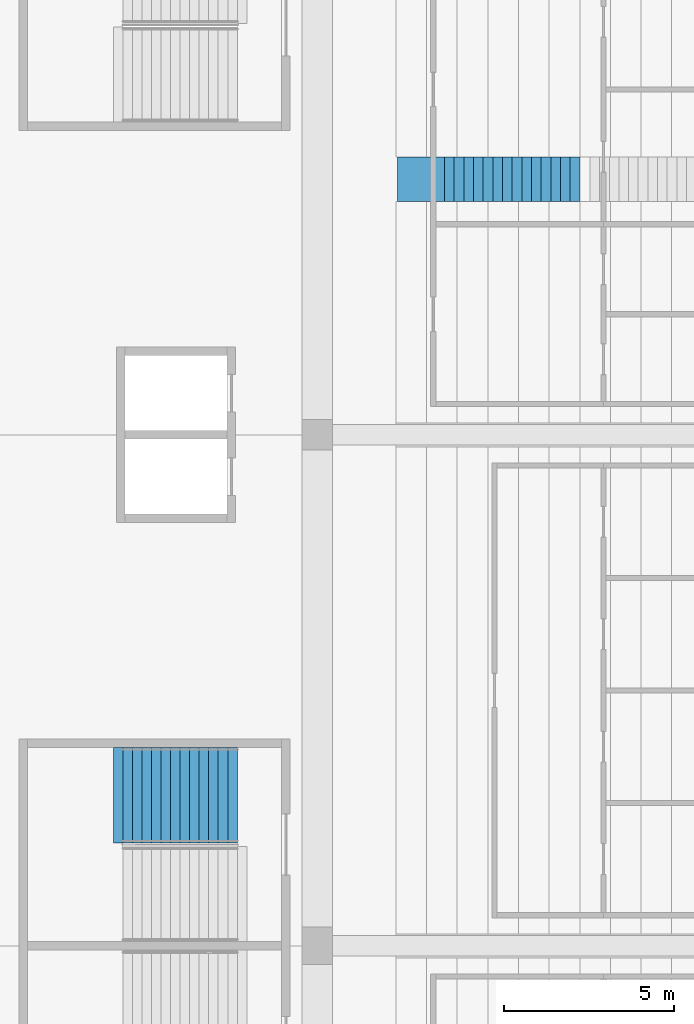
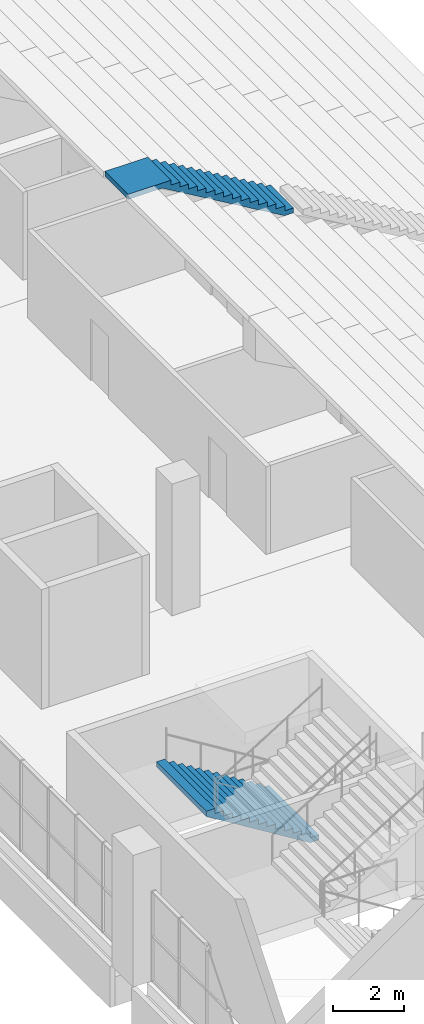
# One storey, part 164 of 249: 2 stair flights, 2 elements without a shape of their own.
"""IFC4 building model written with IfcOpenShell, lengths in metres."""

from ifc_helpers import new_model, si_unit, direction, frame, origin, place, context, subcontext, project, spatial, faceted_brep, material, type_object, element, aggregate, save


model = new_model("IFC4")

# Units and contexts
model_context = context("Model", 3, precision=1e-05, world=origin(), true_north=direction((0.0, 1.0)))
body_context = subcontext(model_context, "Body", "Model", "MODEL_VIEW")
ifc_project = project(units=[si_unit("LENGTHUNIT", "METRE"), si_unit("AREAUNIT", "SQUARE_METRE"), si_unit("VOLUMEUNIT", "CUBIC_METRE"), si_unit("PLANEANGLEUNIT", "RADIAN"), si_unit("MASSUNIT", "GRAM", prefix="KILO")], contexts=[model_context])

# Site, building, storey
site_placement = place(None, origin())
site = spatial("IfcSite", under=ifc_project, at=site_placement, CompositionType="ELEMENT")
building_placement = place(site_placement, origin())
building = spatial("IfcBuilding", under=site, at=building_placement, Name="Ogive Plaza Stadium", CompositionType="ELEMENT")
storey_placement = place(building_placement, frame((0.0, 0.0, 13.5)))
storey = spatial("IfcBuildingStorey", under=building, at=storey_placement, Name="L03", CompositionType="ELEMENT", Elevation=13.5)

# Stair, stair flight
ifc_material_1 = material(Name="Concrete C40/50", Category="concrete")
stair_type_1 = type_object("IfcStairType", Name="Aisle stair", PredefinedType="STRAIGHT_RUN_STAIR", material=ifc_material_1)
stair_1_placement = place(storey_placement, origin())
stair_1 = element("IfcStair", 1, at=stair_1_placement, inside=storey, type_object=stair_type_1, Name="Aisle stair SA25U", PredefinedType="STRAIGHT_RUN_STAIR")
ifc_material_2 = material(Name="Concrete C40/50", Category="concrete")
stair_flight_type_1 = type_object("IfcStairFlightType", Name="Aisle stair flight", PredefinedType="STRAIGHT", material=ifc_material_2)
stair_flight_1_placement = place(storey_placement, frame((-66.300048828125, 15.0, 6.5), z_axis=(0.0, 0.0, 1.0), x_axis=(-1.0, 0.0, 0.0)))
stair_flight_1 = element("IfcStairFlight", 2, at=stair_flight_1_placement, type_object=stair_flight_type_1, Name="SA25U flight 3", NumberOfRisers=15, NumberOfTreads=14, PredefinedType="STRAIGHT", RiserHeight=0.166666667, TreadLength=0.283333333, context=body_context, shape_type="Brep", body=[
    faceted_brep([(0.295654296875, -0.64990234375, 0.0), (4.25, -0.64990234375, 2.326171875), (5.35009765625, -0.64990234375, 2.326171875), (5.35009765625, -0.64990234375, 2.5), (3.966552734375, -0.64990234375, 2.5), (3.966552734375, -0.64990234375, 2.333251953125), (3.683349609375, -0.64990234375, 2.333251953125), (3.683349609375, -0.64990234375, 2.166748046875), (3.39990234375, -0.64990234375, 2.166748046875), (3.39990234375, -0.64990234375, 2.0), (3.11669921875, -0.64990234375, 2.0), (3.11669921875, -0.64990234375, 1.833251953125), (2.833251953125, -0.64990234375, 1.833251953125), (2.833251953125, -0.64990234375, 1.666748046875), (2.550048828125, -0.64990234375, 1.666748046875), (2.550048828125, -0.64990234375, 1.5), (2.2666015625, -0.64990234375, 1.5), (2.2666015625, -0.64990234375, 1.333251953125), (1.9833984375, -0.64990234375, 1.333251953125), (1.9833984375, -0.64990234375, 1.166748046875), (1.699951171875, -0.64990234375, 1.166748046875), (1.699951171875, -0.64990234375, 1.0), (1.416748046875, -0.64990234375, 1.0), (1.416748046875, -0.64990234375, 0.833251953125), (1.13330078125, -0.64990234375, 0.833251953125), (1.13330078125, -0.64990234375, 0.666748046875), (0.85009765625, -0.64990234375, 0.666748046875), (0.85009765625, -0.64990234375, 0.5), (0.566650390625, -0.64990234375, 0.5), (0.566650390625, -0.64990234375, 0.333251953125), (0.283447265625, -0.64990234375, 0.333251953125), (0.283447265625, -0.64990234375, 0.166748046875), (0.0, -0.64990234375, 0.166748046875), (0.0, -0.64990234375, 0.0), (0.0, 0.64990234375, 0.0), (0.0, 0.64990234375, 0.166748046875), (0.283447265625, 0.64990234375, 0.166748046875), (0.283447265625, 0.64990234375, 0.333251953125), (0.566650390625, 0.64990234375, 0.333251953125), (0.566650390625, 0.64990234375, 0.5), (0.85009765625, 0.64990234375, 0.5), (0.85009765625, 0.64990234375, 0.666748046875), (1.13330078125, 0.64990234375, 0.666748046875), (1.13330078125, 0.64990234375, 0.833251953125), (1.416748046875, 0.64990234375, 0.833251953125), (1.416748046875, 0.64990234375, 1.0), (1.699951171875, 0.64990234375, 1.0), (1.699951171875, 0.64990234375, 1.166748046875), (1.9833984375, 0.64990234375, 1.166748046875), (1.9833984375, 0.64990234375, 1.333251953125), (2.2666015625, 0.64990234375, 1.333251953125), (2.2666015625, 0.64990234375, 1.5), (2.550048828125, 0.64990234375, 1.5), (2.550048828125, 0.64990234375, 1.666748046875), (2.833251953125, 0.64990234375, 1.666748046875), (2.833251953125, 0.64990234375, 1.833251953125), (3.11669921875, 0.64990234375, 1.833251953125), (3.11669921875, 0.64990234375, 2.0), (3.39990234375, 0.64990234375, 2.0), (3.39990234375, 0.64990234375, 2.166748046875), (3.683349609375, 0.64990234375, 2.166748046875), (3.683349609375, 0.64990234375, 2.333251953125), (3.966552734375, 0.64990234375, 2.333251953125), (3.966552734375, 0.64990234375, 2.5), (5.35009765625, 0.64990234375, 2.5), (5.35009765625, 0.64990234375, 2.326171875), (4.25, 0.64990234375, 2.326171875), (0.295654296875, 0.64990234375, 0.0), (0.295654296875, -0.324951171875, 0.0), (4.25, -0.324951171875, 2.326171875), (0.295654296875, 0.0, 0.0), (4.25, 0.0, 2.326171875), (0.295654296875, 0.324951171875, 0.0), (4.25, 0.324951171875, 2.326171875), (5.35009765625, -0.324951171875, 2.326171875), (5.35009765625, 0.0, 2.326171875), (5.35009765625, 0.324951171875, 2.326171875), (5.35009765625, -0.324951171875, 2.5), (5.35009765625, 0.0, 2.5), (5.35009765625, 0.324951171875, 2.5), (3.966552734375, -0.324951171875, 2.5), (3.966552734375, 0.0, 2.5), (3.966552734375, 0.324951171875, 2.5), (3.966552734375, -0.324951171875, 2.333251953125), (3.966552734375, 0.0, 2.333251953125), (3.966552734375, 0.324951171875, 2.333251953125), (3.683349609375, -0.324951171875, 2.333251953125), (3.683349609375, 0.0, 2.333251953125), (3.683349609375, 0.324951171875, 2.333251953125), (3.683349609375, -0.324951171875, 2.166748046875), (3.683349609375, 0.0, 2.166748046875), (3.683349609375, 0.324951171875, 2.166748046875), (3.39990234375, -0.324951171875, 2.166748046875), (3.39990234375, 0.0, 2.166748046875), (3.39990234375, 0.324951171875, 2.166748046875), (3.39990234375, -0.324951171875, 2.0), (3.39990234375, 0.0, 2.0), (3.39990234375, 0.324951171875, 2.0), (3.11669921875, -0.324951171875, 2.0), (3.11669921875, 0.0, 2.0), (3.11669921875, 0.324951171875, 2.0), (3.11669921875, -0.324951171875, 1.833251953125), (3.11669921875, 0.0, 1.833251953125), (3.11669921875, 0.324951171875, 1.833251953125), (2.833251953125, -0.324951171875, 1.833251953125), (2.833251953125, 0.0, 1.833251953125), (2.833251953125, 0.324951171875, 1.833251953125), (2.833251953125, -0.324951171875, 1.666748046875), (2.833251953125, 0.0, 1.666748046875), (2.833251953125, 0.324951171875, 1.666748046875), (2.550048828125, -0.324951171875, 1.666748046875), (2.550048828125, 0.0, 1.666748046875), (2.550048828125, 0.324951171875, 1.666748046875), (2.550048828125, -0.324951171875, 1.5), (2.550048828125, 0.0, 1.5), (2.550048828125, 0.324951171875, 1.5), (2.2666015625, -0.324951171875, 1.5), (2.2666015625, 0.0, 1.5), (2.2666015625, 0.324951171875, 1.5), (2.2666015625, -0.324951171875, 1.333251953125), (2.2666015625, 0.0, 1.333251953125), (2.2666015625, 0.324951171875, 1.333251953125), (1.9833984375, -0.324951171875, 1.333251953125), (1.9833984375, 0.0, 1.333251953125), (1.9833984375, 0.324951171875, 1.333251953125), (1.9833984375, -0.324951171875, 1.166748046875), (1.9833984375, 0.0, 1.166748046875), (1.9833984375, 0.324951171875, 1.166748046875), (1.699951171875, -0.324951171875, 1.166748046875), (1.699951171875, 0.0, 1.166748046875), (1.699951171875, 0.324951171875, 1.166748046875), (1.699951171875, -0.324951171875, 1.0), (1.699951171875, 0.0, 1.0), (1.699951171875, 0.324951171875, 1.0), (1.416748046875, -0.324951171875, 1.0), (1.416748046875, 0.0, 1.0), (1.416748046875, 0.324951171875, 1.0), (1.416748046875, -0.324951171875, 0.833251953125), (1.416748046875, 0.0, 0.833251953125), (1.416748046875, 0.324951171875, 0.833251953125), (1.13330078125, -0.324951171875, 0.833251953125), (1.13330078125, 0.0, 0.833251953125), (1.13330078125, 0.324951171875, 0.833251953125), (1.13330078125, -0.324951171875, 0.666748046875), (1.13330078125, 0.0, 0.666748046875), (1.13330078125, 0.324951171875, 0.666748046875), (0.85009765625, -0.324951171875, 0.666748046875), (0.85009765625, 0.0, 0.666748046875), (0.85009765625, 0.324951171875, 0.666748046875), (0.85009765625, -0.324951171875, 0.5), (0.85009765625, 0.0, 0.5), (0.85009765625, 0.324951171875, 0.5), (0.566650390625, -0.324951171875, 0.5), (0.566650390625, 0.0, 0.5), (0.566650390625, 0.324951171875, 0.5), (0.566650390625, -0.324951171875, 0.333251953125), (0.566650390625, 0.0, 0.333251953125), (0.566650390625, 0.324951171875, 0.333251953125), (0.283447265625, -0.324951171875, 0.333251953125), (0.283447265625, 0.0, 0.333251953125), (0.283447265625, 0.324951171875, 0.333251953125), (0.283447265625, -0.324951171875, 0.166748046875), (0.283447265625, 0.0, 0.166748046875), (0.283447265625, 0.324951171875, 0.166748046875), (0.0, -0.324951171875, 0.166748046875), (0.0, 0.0, 0.166748046875), (0.0, 0.324951171875, 0.166748046875), (0.0, -0.324951171875, 0.0), (0.0, 0.0, 0.0), (0.0, 0.324951171875, 0.0)], [[[0, 1, 2, 3, 4, 5, 6, 7, 8, 9, 10, 11, 12, 13, 14, 15, 16, 17, 18, 19, 20, 21, 22, 23, 24, 25, 26, 27, 28, 29, 30, 31, 32, 33]], [[34, 35, 36, 37, 38, 39, 40, 41, 42, 43, 44, 45, 46, 47, 48, 49, 50, 51, 52, 53, 54, 55, 56, 57, 58, 59, 60, 61, 62, 63, 64, 65, 66, 67]], [[0, 68, 69, 1]], [[68, 70, 71, 69]], [[70, 72, 73, 71]], [[72, 67, 66, 73]], [[1, 69, 74, 2]], [[69, 71, 75, 74]], [[71, 73, 76, 75]], [[73, 66, 65, 76]], [[2, 74, 77, 3]], [[74, 75, 78, 77]], [[75, 76, 79, 78]], [[76, 65, 64, 79]], [[3, 77, 80, 4]], [[77, 78, 81, 80]], [[78, 79, 82, 81]], [[79, 64, 63, 82]], [[4, 80, 83, 5]], [[80, 81, 84, 83]], [[81, 82, 85, 84]], [[82, 63, 62, 85]], [[5, 83, 86, 6]], [[83, 84, 87, 86]], [[84, 85, 88, 87]], [[85, 62, 61, 88]], [[6, 86, 89, 7]], [[86, 87, 90, 89]], [[87, 88, 91, 90]], [[88, 61, 60, 91]], [[7, 89, 92, 8]], [[89, 90, 93, 92]], [[90, 91, 94, 93]], [[91, 60, 59, 94]], [[8, 92, 95, 9]], [[92, 93, 96, 95]], [[93, 94, 97, 96]], [[94, 59, 58, 97]], [[9, 95, 98, 10]], [[95, 96, 99, 98]], [[96, 97, 100, 99]], [[97, 58, 57, 100]], [[10, 98, 101, 11]], [[98, 99, 102, 101]], [[99, 100, 103, 102]], [[100, 57, 56, 103]], [[11, 101, 104, 12]], [[101, 102, 105, 104]], [[102, 103, 106, 105]], [[103, 56, 55, 106]], [[12, 104, 107, 13]], [[104, 105, 108, 107]], [[105, 106, 109, 108]], [[106, 55, 54, 109]], [[13, 107, 110, 14]], [[107, 108, 111, 110]], [[108, 109, 112, 111]], [[109, 54, 53, 112]], [[14, 110, 113, 15]], [[110, 111, 114, 113]], [[111, 112, 115, 114]], [[112, 53, 52, 115]], [[15, 113, 116, 16]], [[113, 114, 117, 116]], [[114, 115, 118, 117]], [[115, 52, 51, 118]], [[16, 116, 119, 17]], [[116, 117, 120, 119]], [[117, 118, 121, 120]], [[118, 51, 50, 121]], [[17, 119, 122, 18]], [[119, 120, 123, 122]], [[120, 121, 124, 123]], [[121, 50, 49, 124]], [[18, 122, 125, 19]], [[122, 123, 126, 125]], [[123, 124, 127, 126]], [[124, 49, 48, 127]], [[19, 125, 128, 20]], [[125, 126, 129, 128]], [[126, 127, 130, 129]], [[127, 48, 47, 130]], [[20, 128, 131, 21]], [[128, 129, 132, 131]], [[129, 130, 133, 132]], [[130, 47, 46, 133]], [[21, 131, 134, 22]], [[131, 132, 135, 134]], [[132, 133, 136, 135]], [[133, 46, 45, 136]], [[22, 134, 137, 23]], [[134, 135, 138, 137]], [[135, 136, 139, 138]], [[136, 45, 44, 139]], [[23, 137, 140, 24]], [[137, 138, 141, 140]], [[138, 139, 142, 141]], [[139, 44, 43, 142]], [[24, 140, 143, 25]], [[140, 141, 144, 143]], [[141, 142, 145, 144]], [[142, 43, 42, 145]], [[25, 143, 146, 26]], [[143, 144, 147, 146]], [[144, 145, 148, 147]], [[145, 42, 41, 148]], [[26, 146, 149, 27]], [[146, 147, 150, 149]], [[147, 148, 151, 150]], [[148, 41, 40, 151]], [[27, 149, 152, 28]], [[149, 150, 153, 152]], [[150, 151, 154, 153]], [[151, 40, 39, 154]], [[28, 152, 155, 29]], [[152, 153, 156, 155]], [[153, 154, 157, 156]], [[154, 39, 38, 157]], [[29, 155, 158, 30]], [[155, 156, 159, 158]], [[156, 157, 160, 159]], [[157, 38, 37, 160]], [[30, 158, 161, 31]], [[158, 159, 162, 161]], [[159, 160, 163, 162]], [[160, 37, 36, 163]], [[31, 161, 164, 32]], [[161, 162, 165, 164]], [[162, 163, 166, 165]], [[163, 36, 35, 166]], [[32, 164, 167, 33]], [[164, 165, 168, 167]], [[165, 166, 169, 168]], [[166, 35, 34, 169]], [[33, 167, 68, 0]], [[167, 168, 70, 68]], [[168, 169, 72, 70]], [[169, 34, 67, 72]]]),
])
aggregate(stair_1, [stair_flight_1])

ifc_material_3 = material(Name="Concrete C40/50", Category="concrete")
stair_type_2 = type_object("IfcStairType", Name="Exit stair", PredefinedType="STRAIGHT_RUN_STAIR", material=ifc_material_3)
stair_2_placement = place(storey_placement, origin())
stair_2 = element("IfcStair", 3, at=stair_2_placement, inside=storey, type_object=stair_type_2, Name="Exit stair ST24A L03 to L04", PredefinedType="STRAIGHT_RUN_STAIR")
ifc_material_4 = material(Name="Concrete C40/50", Category="concrete")
stair_flight_type_2 = type_object("IfcStairFlightType", Name="Exit stair flight", PredefinedType="STRAIGHT", material=ifc_material_4)
stair_flight_2_placement = place(storey_placement, frame((-76.35009765625, -3.074951171875, 0.0), z_axis=(0.0, 0.0, 1.0), x_axis=(-1.0, 0.0, 0.0)))
stair_flight_2 = element("IfcStairFlight", 4, at=stair_flight_2_placement, type_object=stair_flight_type_2, Name="ST24A flight 1", NumberOfRisers=13, NumberOfTreads=12, PredefinedType="STRAIGHT", RiserHeight=0.173076923, TreadLength=0.28, context=body_context, shape_type="Brep", body=[
    faceted_brep([(0.28515625, -1.39990234375, 0.0), (3.639892578125, -1.39990234375, 2.07373046875), (3.639892578125, -1.39990234375, 2.25), (3.360107421875, -1.39990234375, 2.25), (3.360107421875, -1.39990234375, 2.076904296875), (3.080078125, -1.39990234375, 2.076904296875), (3.080078125, -1.39990234375, 1.90380859375), (2.800048828125, -1.39990234375, 1.90380859375), (2.800048828125, -1.39990234375, 1.730712890625), (2.52001953125, -1.39990234375, 1.730712890625), (2.52001953125, -1.39990234375, 1.5576171875), (2.239990234375, -1.39990234375, 1.5576171875), (2.239990234375, -1.39990234375, 1.384521484375), (1.9599609375, -1.39990234375, 1.384521484375), (1.9599609375, -1.39990234375, 1.21142578125), (1.679931640625, -1.39990234375, 1.21142578125), (1.679931640625, -1.39990234375, 1.03857421875), (1.39990234375, -1.39990234375, 1.03857421875), (1.39990234375, -1.39990234375, 0.865478515625), (1.1201171875, -1.39990234375, 0.865478515625), (1.1201171875, -1.39990234375, 0.6923828125), (0.840087890625, -1.39990234375, 0.6923828125), (0.840087890625, -1.39990234375, 0.519287109375), (0.56005859375, -1.39990234375, 0.519287109375), (0.56005859375, -1.39990234375, 0.34619140625), (0.280029296875, -1.39990234375, 0.34619140625), (0.280029296875, -1.39990234375, 0.173095703125), (0.0, -1.39990234375, 0.173095703125), (0.0, -1.39990234375, 0.0), (0.0, 1.39990234375, 0.0), (0.0, 1.39990234375, 0.173095703125), (0.280029296875, 1.39990234375, 0.173095703125), (0.280029296875, 1.39990234375, 0.34619140625), (0.56005859375, 1.39990234375, 0.34619140625), (0.56005859375, 1.39990234375, 0.519287109375), (0.840087890625, 1.39990234375, 0.519287109375), (0.840087890625, 1.39990234375, 0.6923828125), (1.1201171875, 1.39990234375, 0.6923828125), (1.1201171875, 1.39990234375, 0.865478515625), (1.39990234375, 1.39990234375, 0.865478515625), (1.39990234375, 1.39990234375, 1.03857421875), (1.679931640625, 1.39990234375, 1.03857421875), (1.679931640625, 1.39990234375, 1.21142578125), (1.9599609375, 1.39990234375, 1.21142578125), (1.9599609375, 1.39990234375, 1.384521484375), (2.239990234375, 1.39990234375, 1.384521484375), (2.239990234375, 1.39990234375, 1.5576171875), (2.52001953125, 1.39990234375, 1.5576171875), (2.52001953125, 1.39990234375, 1.730712890625), (2.800048828125, 1.39990234375, 1.730712890625), (2.800048828125, 1.39990234375, 1.90380859375), (3.080078125, 1.39990234375, 1.90380859375), (3.080078125, 1.39990234375, 2.076904296875), (3.360107421875, 1.39990234375, 2.076904296875), (3.360107421875, 1.39990234375, 2.25), (3.639892578125, 1.39990234375, 2.25), (3.639892578125, 1.39990234375, 2.07373046875), (0.28515625, 1.39990234375, 0.0), (0.28515625, -1.0888671875, 0.0), (3.639892578125, -1.0888671875, 2.07373046875), (0.28515625, -0.77783203125, 0.0), (3.639892578125, -0.77783203125, 2.07373046875), (0.28515625, -0.466796875, 0.0), (3.639892578125, -0.466796875, 2.07373046875), (0.28515625, -0.155517578125, 0.0), (3.639892578125, -0.155517578125, 2.07373046875), (0.28515625, 0.155517578125, 0.0), (3.639892578125, 0.155517578125, 2.07373046875), (0.28515625, 0.466796875, 0.0), (3.639892578125, 0.466796875, 2.07373046875), (0.28515625, 0.77783203125, 0.0), (3.639892578125, 0.77783203125, 2.07373046875), (0.28515625, 1.0888671875, 0.0), (3.639892578125, 1.0888671875, 2.07373046875), (3.639892578125, -1.0888671875, 2.25), (3.639892578125, -0.77783203125, 2.25), (3.639892578125, -0.466796875, 2.25), (3.639892578125, -0.155517578125, 2.25), (3.639892578125, 0.155517578125, 2.25), (3.639892578125, 0.466796875, 2.25), (3.639892578125, 0.77783203125, 2.25), (3.639892578125, 1.0888671875, 2.25), (3.360107421875, -1.0888671875, 2.25), (3.360107421875, -0.77783203125, 2.25), (3.360107421875, -0.466796875, 2.25), (3.360107421875, -0.155517578125, 2.25), (3.360107421875, 0.155517578125, 2.25), (3.360107421875, 0.466796875, 2.25), (3.360107421875, 0.77783203125, 2.25), (3.360107421875, 1.0888671875, 2.25), (3.360107421875, -1.0888671875, 2.076904296875), (3.360107421875, -0.77783203125, 2.076904296875), (3.360107421875, -0.466796875, 2.076904296875), (3.360107421875, -0.155517578125, 2.076904296875), (3.360107421875, 0.155517578125, 2.076904296875), (3.360107421875, 0.466796875, 2.076904296875), (3.360107421875, 0.77783203125, 2.076904296875), (3.360107421875, 1.0888671875, 2.076904296875), (3.080078125, -1.0888671875, 2.076904296875), (3.080078125, -0.77783203125, 2.076904296875), (3.080078125, -0.466796875, 2.076904296875), (3.080078125, -0.155517578125, 2.076904296875), (3.080078125, 0.155517578125, 2.076904296875), (3.080078125, 0.466796875, 2.076904296875), (3.080078125, 0.77783203125, 2.076904296875), (3.080078125, 1.0888671875, 2.076904296875), (3.080078125, -1.0888671875, 1.90380859375), (3.080078125, -0.77783203125, 1.90380859375), (3.080078125, -0.466796875, 1.90380859375), (3.080078125, -0.155517578125, 1.90380859375), (3.080078125, 0.155517578125, 1.90380859375), (3.080078125, 0.466796875, 1.90380859375), (3.080078125, 0.77783203125, 1.90380859375), (3.080078125, 1.0888671875, 1.90380859375), (2.800048828125, -1.0888671875, 1.90380859375), (2.800048828125, -0.77783203125, 1.90380859375), (2.800048828125, -0.466796875, 1.90380859375), (2.800048828125, -0.155517578125, 1.90380859375), (2.800048828125, 0.155517578125, 1.90380859375), (2.800048828125, 0.466796875, 1.90380859375), (2.800048828125, 0.77783203125, 1.90380859375), (2.800048828125, 1.0888671875, 1.90380859375), (2.800048828125, -1.0888671875, 1.730712890625), (2.800048828125, -0.77783203125, 1.730712890625), (2.800048828125, -0.466796875, 1.730712890625), (2.800048828125, -0.155517578125, 1.730712890625), (2.800048828125, 0.155517578125, 1.730712890625), (2.800048828125, 0.466796875, 1.730712890625), (2.800048828125, 0.77783203125, 1.730712890625), (2.800048828125, 1.0888671875, 1.730712890625), (2.52001953125, -1.0888671875, 1.730712890625), (2.52001953125, -0.77783203125, 1.730712890625), (2.52001953125, -0.466796875, 1.730712890625), (2.52001953125, -0.155517578125, 1.730712890625), (2.52001953125, 0.155517578125, 1.730712890625), (2.52001953125, 0.466796875, 1.730712890625), (2.52001953125, 0.77783203125, 1.730712890625), (2.52001953125, 1.0888671875, 1.730712890625), (2.52001953125, -1.0888671875, 1.5576171875), (2.52001953125, -0.77783203125, 1.5576171875), (2.52001953125, -0.466796875, 1.5576171875), (2.52001953125, -0.155517578125, 1.5576171875), (2.52001953125, 0.155517578125, 1.5576171875), (2.52001953125, 0.466796875, 1.5576171875), (2.52001953125, 0.77783203125, 1.5576171875), (2.52001953125, 1.0888671875, 1.5576171875), (2.239990234375, -1.0888671875, 1.5576171875), (2.239990234375, -0.77783203125, 1.5576171875), (2.239990234375, -0.466796875, 1.5576171875), (2.239990234375, -0.155517578125, 1.5576171875), (2.239990234375, 0.155517578125, 1.5576171875), (2.239990234375, 0.466796875, 1.5576171875), (2.239990234375, 0.77783203125, 1.5576171875), (2.239990234375, 1.0888671875, 1.5576171875), (2.239990234375, -1.0888671875, 1.384521484375), (2.239990234375, -0.77783203125, 1.384521484375), (2.239990234375, -0.466796875, 1.384521484375), (2.239990234375, -0.155517578125, 1.384521484375), (2.239990234375, 0.155517578125, 1.384521484375), (2.239990234375, 0.466796875, 1.384521484375), (2.239990234375, 0.77783203125, 1.384521484375), (2.239990234375, 1.0888671875, 1.384521484375), (1.9599609375, -1.0888671875, 1.384521484375), (1.9599609375, -0.77783203125, 1.384521484375), (1.9599609375, -0.466796875, 1.384521484375), (1.9599609375, -0.155517578125, 1.384521484375), (1.9599609375, 0.155517578125, 1.384521484375), (1.9599609375, 0.466796875, 1.384521484375), (1.9599609375, 0.77783203125, 1.384521484375), (1.9599609375, 1.0888671875, 1.384521484375), (1.9599609375, -1.0888671875, 1.21142578125), (1.9599609375, -0.77783203125, 1.21142578125), (1.9599609375, -0.466796875, 1.21142578125), (1.9599609375, -0.155517578125, 1.21142578125), (1.9599609375, 0.155517578125, 1.21142578125), (1.9599609375, 0.466796875, 1.21142578125), (1.9599609375, 0.77783203125, 1.21142578125), (1.9599609375, 1.0888671875, 1.21142578125), (1.679931640625, -1.0888671875, 1.21142578125), (1.679931640625, -0.77783203125, 1.21142578125), (1.679931640625, -0.466796875, 1.21142578125), (1.679931640625, -0.155517578125, 1.21142578125), (1.679931640625, 0.155517578125, 1.21142578125), (1.679931640625, 0.466796875, 1.21142578125), (1.679931640625, 0.77783203125, 1.21142578125), (1.679931640625, 1.0888671875, 1.21142578125), (1.679931640625, -1.0888671875, 1.03857421875), (1.679931640625, -0.77783203125, 1.03857421875), (1.679931640625, -0.466796875, 1.03857421875), (1.679931640625, -0.155517578125, 1.03857421875), (1.679931640625, 0.155517578125, 1.03857421875), (1.679931640625, 0.466796875, 1.03857421875), (1.679931640625, 0.77783203125, 1.03857421875), (1.679931640625, 1.0888671875, 1.03857421875), (1.39990234375, -1.0888671875, 1.03857421875), (1.39990234375, -0.77783203125, 1.03857421875), (1.39990234375, -0.466796875, 1.03857421875), (1.39990234375, -0.155517578125, 1.03857421875), (1.39990234375, 0.155517578125, 1.03857421875), (1.39990234375, 0.466796875, 1.03857421875), (1.39990234375, 0.77783203125, 1.03857421875), (1.39990234375, 1.0888671875, 1.03857421875), (1.39990234375, -1.0888671875, 0.865478515625), (1.39990234375, -0.77783203125, 0.865478515625), (1.39990234375, -0.466796875, 0.865478515625), (1.39990234375, -0.155517578125, 0.865478515625), (1.39990234375, 0.155517578125, 0.865478515625), (1.39990234375, 0.466796875, 0.865478515625), (1.39990234375, 0.77783203125, 0.865478515625), (1.39990234375, 1.0888671875, 0.865478515625), (1.1201171875, -1.0888671875, 0.865478515625), (1.1201171875, -0.77783203125, 0.865478515625), (1.1201171875, -0.466796875, 0.865478515625), (1.1201171875, -0.155517578125, 0.865478515625), (1.1201171875, 0.155517578125, 0.865478515625), (1.1201171875, 0.466796875, 0.865478515625), (1.1201171875, 0.77783203125, 0.865478515625), (1.1201171875, 1.0888671875, 0.865478515625), (1.1201171875, -1.0888671875, 0.6923828125), (1.1201171875, -0.77783203125, 0.6923828125), (1.1201171875, -0.466796875, 0.6923828125), (1.1201171875, -0.155517578125, 0.6923828125), (1.1201171875, 0.155517578125, 0.6923828125), (1.1201171875, 0.466796875, 0.6923828125), (1.1201171875, 0.77783203125, 0.6923828125), (1.1201171875, 1.0888671875, 0.6923828125), (0.840087890625, -1.0888671875, 0.6923828125), (0.840087890625, -0.77783203125, 0.6923828125), (0.840087890625, -0.466796875, 0.6923828125), (0.840087890625, -0.155517578125, 0.6923828125), (0.840087890625, 0.155517578125, 0.6923828125), (0.840087890625, 0.466796875, 0.6923828125), (0.840087890625, 0.77783203125, 0.6923828125), (0.840087890625, 1.0888671875, 0.6923828125), (0.840087890625, -1.0888671875, 0.519287109375), (0.840087890625, -0.77783203125, 0.519287109375), (0.840087890625, -0.466796875, 0.519287109375), (0.840087890625, -0.155517578125, 0.519287109375), (0.840087890625, 0.155517578125, 0.519287109375), (0.840087890625, 0.466796875, 0.519287109375), (0.840087890625, 0.77783203125, 0.519287109375), (0.840087890625, 1.0888671875, 0.519287109375), (0.56005859375, -1.0888671875, 0.519287109375), (0.56005859375, -0.77783203125, 0.519287109375), (0.56005859375, -0.466796875, 0.519287109375), (0.56005859375, -0.155517578125, 0.519287109375), (0.56005859375, 0.155517578125, 0.519287109375), (0.56005859375, 0.466796875, 0.519287109375), (0.56005859375, 0.77783203125, 0.519287109375), (0.56005859375, 1.0888671875, 0.519287109375), (0.56005859375, -1.0888671875, 0.34619140625), (0.56005859375, -0.77783203125, 0.34619140625), (0.56005859375, -0.466796875, 0.34619140625), (0.56005859375, -0.155517578125, 0.34619140625), (0.56005859375, 0.155517578125, 0.34619140625), (0.56005859375, 0.466796875, 0.34619140625), (0.56005859375, 0.77783203125, 0.34619140625), (0.56005859375, 1.0888671875, 0.34619140625), (0.280029296875, -1.0888671875, 0.34619140625), (0.280029296875, -0.77783203125, 0.34619140625), (0.280029296875, -0.466796875, 0.34619140625), (0.280029296875, -0.155517578125, 0.34619140625), (0.280029296875, 0.155517578125, 0.34619140625), (0.280029296875, 0.466796875, 0.34619140625), (0.280029296875, 0.77783203125, 0.34619140625), (0.280029296875, 1.0888671875, 0.34619140625), (0.280029296875, -1.0888671875, 0.173095703125), (0.280029296875, -0.77783203125, 0.173095703125), (0.280029296875, -0.466796875, 0.173095703125), (0.280029296875, -0.155517578125, 0.173095703125), (0.280029296875, 0.155517578125, 0.173095703125), (0.280029296875, 0.466796875, 0.173095703125), (0.280029296875, 0.77783203125, 0.173095703125), (0.280029296875, 1.0888671875, 0.173095703125), (0.0, -1.0888671875, 0.173095703125), (0.0, -0.77783203125, 0.173095703125), (0.0, -0.466796875, 0.173095703125), (0.0, -0.155517578125, 0.173095703125), (0.0, 0.155517578125, 0.173095703125), (0.0, 0.466796875, 0.173095703125), (0.0, 0.77783203125, 0.173095703125), (0.0, 1.0888671875, 0.173095703125), (0.0, -1.0888671875, 0.0), (0.0, -0.77783203125, 0.0), (0.0, -0.466796875, 0.0), (0.0, -0.155517578125, 0.0), (0.0, 0.155517578125, 0.0), (0.0, 0.466796875, 0.0), (0.0, 0.77783203125, 0.0), (0.0, 1.0888671875, 0.0)], [[[0, 1, 2, 3, 4, 5, 6, 7, 8, 9, 10, 11, 12, 13, 14, 15, 16, 17, 18, 19, 20, 21, 22, 23, 24, 25, 26, 27, 28]], [[29, 30, 31, 32, 33, 34, 35, 36, 37, 38, 39, 40, 41, 42, 43, 44, 45, 46, 47, 48, 49, 50, 51, 52, 53, 54, 55, 56, 57]], [[0, 58, 59, 1]], [[58, 60, 61, 59]], [[60, 62, 63, 61]], [[62, 64, 65, 63]], [[64, 66, 67, 65]], [[66, 68, 69, 67]], [[68, 70, 71, 69]], [[70, 72, 73, 71]], [[72, 57, 56, 73]], [[1, 59, 74, 2]], [[59, 61, 75, 74]], [[61, 63, 76, 75]], [[63, 65, 77, 76]], [[65, 67, 78, 77]], [[67, 69, 79, 78]], [[69, 71, 80, 79]], [[71, 73, 81, 80]], [[73, 56, 55, 81]], [[2, 74, 82, 3]], [[74, 75, 83, 82]], [[75, 76, 84, 83]], [[76, 77, 85, 84]], [[77, 78, 86, 85]], [[78, 79, 87, 86]], [[79, 80, 88, 87]], [[80, 81, 89, 88]], [[81, 55, 54, 89]], [[3, 82, 90, 4]], [[82, 83, 91, 90]], [[83, 84, 92, 91]], [[84, 85, 93, 92]], [[85, 86, 94, 93]], [[86, 87, 95, 94]], [[87, 88, 96, 95]], [[88, 89, 97, 96]], [[89, 54, 53, 97]], [[4, 90, 98, 5]], [[90, 91, 99, 98]], [[91, 92, 100, 99]], [[92, 93, 101, 100]], [[93, 94, 102, 101]], [[94, 95, 103, 102]], [[95, 96, 104, 103]], [[96, 97, 105, 104]], [[97, 53, 52, 105]], [[5, 98, 106, 6]], [[98, 99, 107, 106]], [[99, 100, 108, 107]], [[100, 101, 109, 108]], [[101, 102, 110, 109]], [[102, 103, 111, 110]], [[103, 104, 112, 111]], [[104, 105, 113, 112]], [[105, 52, 51, 113]], [[6, 106, 114, 7]], [[106, 107, 115, 114]], [[107, 108, 116, 115]], [[108, 109, 117, 116]], [[109, 110, 118, 117]], [[110, 111, 119, 118]], [[111, 112, 120, 119]], [[112, 113, 121, 120]], [[113, 51, 50, 121]], [[7, 114, 122, 8]], [[114, 115, 123, 122]], [[115, 116, 124, 123]], [[116, 117, 125, 124]], [[117, 118, 126, 125]], [[118, 119, 127, 126]], [[119, 120, 128, 127]], [[120, 121, 129, 128]], [[121, 50, 49, 129]], [[8, 122, 130, 9]], [[122, 123, 131, 130]], [[123, 124, 132, 131]], [[124, 125, 133, 132]], [[125, 126, 134, 133]], [[126, 127, 135, 134]], [[127, 128, 136, 135]], [[128, 129, 137, 136]], [[129, 49, 48, 137]], [[9, 130, 138, 10]], [[130, 131, 139, 138]], [[131, 132, 140, 139]], [[132, 133, 141, 140]], [[133, 134, 142, 141]], [[134, 135, 143, 142]], [[135, 136, 144, 143]], [[136, 137, 145, 144]], [[137, 48, 47, 145]], [[10, 138, 146, 11]], [[138, 139, 147, 146]], [[139, 140, 148, 147]], [[140, 141, 149, 148]], [[141, 142, 150, 149]], [[142, 143, 151, 150]], [[143, 144, 152, 151]], [[144, 145, 153, 152]], [[145, 47, 46, 153]], [[11, 146, 154, 12]], [[146, 147, 155, 154]], [[147, 148, 156, 155]], [[148, 149, 157, 156]], [[149, 150, 158, 157]], [[150, 151, 159, 158]], [[151, 152, 160, 159]], [[152, 153, 161, 160]], [[153, 46, 45, 161]], [[12, 154, 162, 13]], [[154, 155, 163, 162]], [[155, 156, 164, 163]], [[156, 157, 165, 164]], [[157, 158, 166, 165]], [[158, 159, 167, 166]], [[159, 160, 168, 167]], [[160, 161, 169, 168]], [[161, 45, 44, 169]], [[13, 162, 170, 14]], [[162, 163, 171, 170]], [[163, 164, 172, 171]], [[164, 165, 173, 172]], [[165, 166, 174, 173]], [[166, 167, 175, 174]], [[167, 168, 176, 175]], [[168, 169, 177, 176]], [[169, 44, 43, 177]], [[14, 170, 178, 15]], [[170, 171, 179, 178]], [[171, 172, 180, 179]], [[172, 173, 181, 180]], [[173, 174, 182, 181]], [[174, 175, 183, 182]], [[175, 176, 184, 183]], [[176, 177, 185, 184]], [[177, 43, 42, 185]], [[15, 178, 186, 16]], [[178, 179, 187, 186]], [[179, 180, 188, 187]], [[180, 181, 189, 188]], [[181, 182, 190, 189]], [[182, 183, 191, 190]], [[183, 184, 192, 191]], [[184, 185, 193, 192]], [[185, 42, 41, 193]], [[16, 186, 194, 17]], [[186, 187, 195, 194]], [[187, 188, 196, 195]], [[188, 189, 197, 196]], [[189, 190, 198, 197]], [[190, 191, 199, 198]], [[191, 192, 200, 199]], [[192, 193, 201, 200]], [[193, 41, 40, 201]], [[17, 194, 202, 18]], [[194, 195, 203, 202]], [[195, 196, 204, 203]], [[196, 197, 205, 204]], [[197, 198, 206, 205]], [[198, 199, 207, 206]], [[199, 200, 208, 207]], [[200, 201, 209, 208]], [[201, 40, 39, 209]], [[18, 202, 210, 19]], [[202, 203, 211, 210]], [[203, 204, 212, 211]], [[204, 205, 213, 212]], [[205, 206, 214, 213]], [[206, 207, 215, 214]], [[207, 208, 216, 215]], [[208, 209, 217, 216]], [[209, 39, 38, 217]], [[19, 210, 218, 20]], [[210, 211, 219, 218]], [[211, 212, 220, 219]], [[212, 213, 221, 220]], [[213, 214, 222, 221]], [[214, 215, 223, 222]], [[215, 216, 224, 223]], [[216, 217, 225, 224]], [[217, 38, 37, 225]], [[20, 218, 226, 21]], [[218, 219, 227, 226]], [[219, 220, 228, 227]], [[220, 221, 229, 228]], [[221, 222, 230, 229]], [[222, 223, 231, 230]], [[223, 224, 232, 231]], [[224, 225, 233, 232]], [[225, 37, 36, 233]], [[21, 226, 234, 22]], [[226, 227, 235, 234]], [[227, 228, 236, 235]], [[228, 229, 237, 236]], [[229, 230, 238, 237]], [[230, 231, 239, 238]], [[231, 232, 240, 239]], [[232, 233, 241, 240]], [[233, 36, 35, 241]], [[22, 234, 242, 23]], [[234, 235, 243, 242]], [[235, 236, 244, 243]], [[236, 237, 245, 244]], [[237, 238, 246, 245]], [[238, 239, 247, 246]], [[239, 240, 248, 247]], [[240, 241, 249, 248]], [[241, 35, 34, 249]], [[23, 242, 250, 24]], [[242, 243, 251, 250]], [[243, 244, 252, 251]], [[244, 245, 253, 252]], [[245, 246, 254, 253]], [[246, 247, 255, 254]], [[247, 248, 256, 255]], [[248, 249, 257, 256]], [[249, 34, 33, 257]], [[24, 250, 258, 25]], [[250, 251, 259, 258]], [[251, 252, 260, 259]], [[252, 253, 261, 260]], [[253, 254, 262, 261]], [[254, 255, 263, 262]], [[255, 256, 264, 263]], [[256, 257, 265, 264]], [[257, 33, 32, 265]], [[25, 258, 266, 26]], [[258, 259, 267, 266]], [[259, 260, 268, 267]], [[260, 261, 269, 268]], [[261, 262, 270, 269]], [[262, 263, 271, 270]], [[263, 264, 272, 271]], [[264, 265, 273, 272]], [[265, 32, 31, 273]], [[26, 266, 274, 27]], [[266, 267, 275, 274]], [[267, 268, 276, 275]], [[268, 269, 277, 276]], [[269, 270, 278, 277]], [[270, 271, 279, 278]], [[271, 272, 280, 279]], [[272, 273, 281, 280]], [[273, 31, 30, 281]], [[27, 274, 282, 28]], [[274, 275, 283, 282]], [[275, 276, 284, 283]], [[276, 277, 285, 284]], [[277, 278, 286, 285]], [[278, 279, 287, 286]], [[279, 280, 288, 287]], [[280, 281, 289, 288]], [[281, 30, 29, 289]], [[28, 282, 58, 0]], [[282, 283, 60, 58]], [[283, 284, 62, 60]], [[284, 285, 64, 62]], [[285, 286, 66, 64]], [[286, 287, 68, 66]], [[287, 288, 70, 68]], [[288, 289, 72, 70]], [[289, 29, 57, 72]]]),
])
aggregate(stair_2, [stair_flight_2])

save(model, "model.ifc")
